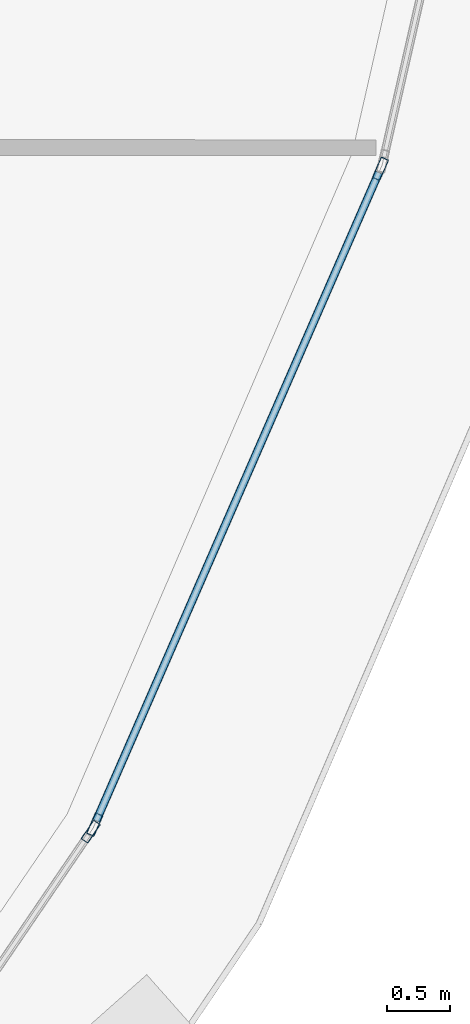
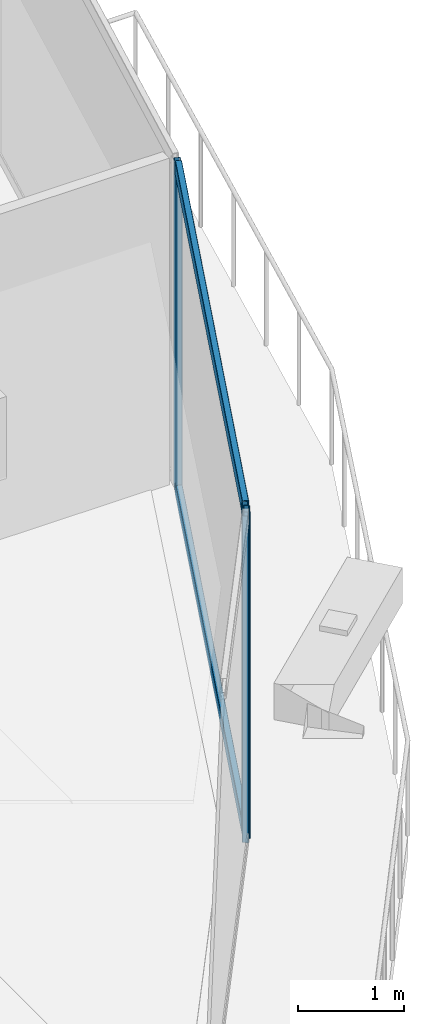
# One storey, part 11 of 36: 5 members, 2 elements without a shape of their own.
"""IFC4 building model written with IfcOpenShell, lengths in metres."""

from ifc_helpers import new_model, si_unit, direction, frame, origin, origin_2d, place, context, subcontext, project, spatial, hollow_rectangle, extrude, material, layer, layer_set, material_profile, profile_set, type_object, element, aggregate, save


model = new_model("IFC4")

# Units and contexts
model_context = context("Model", 3, precision=1e-05, world=origin(), true_north=direction((0.0, 1.0)))
body_context = subcontext(model_context, "Body", "Model", "MODEL_VIEW")
ifc_project = project(units=[si_unit("LENGTHUNIT", "METRE"), si_unit("AREAUNIT", "SQUARE_METRE"), si_unit("VOLUMEUNIT", "CUBIC_METRE"), si_unit("PLANEANGLEUNIT", "RADIAN"), si_unit("MASSUNIT", "GRAM", prefix="KILO")], contexts=[model_context])

# Site, building, storey
site_placement = place(None, origin())
site = spatial("IfcSite", under=ifc_project, at=site_placement, CompositionType="ELEMENT")
building_placement = place(site_placement, origin())
building = spatial("IfcBuilding", under=site, at=building_placement, Name="Qorvath Tower", CompositionType="ELEMENT")
storey_placement = place(building_placement, frame((0.0, 0.0, 241.5)))
storey = spatial("IfcBuildingStorey", under=building, at=storey_placement, Name="L56", CompositionType="ELEMENT", Elevation=241.5)

# Curtain wall, member
ifc_material_1 = material(Name="Anodised aluminium and triple low-E glass", Category="aluminium")
ifc_layer = layer(ifc_material_1, 0.179931640625)
ifc_layer_set = layer_set([ifc_layer], Name="CW-SYS-3")
curtain_wall_type = type_object("IfcCurtainWallType", Name="CW-SYS-3", PredefinedType="NOTDEFINED", material=ifc_layer_set)
curtain_wall_1_placement = place(storey_placement, origin())
curtain_wall_1 = element("IfcCurtainWall", 1, at=curtain_wall_1_placement, inside=storey, type_object=curtain_wall_type, Name="Curtain Wall CW-3 CW-T-L56-5.1", PredefinedType="NOTDEFINED")
ifc_material_2 = material(Name="Anodised aluminium 6063-T6", Category="aluminium")
ifc_material_profile_1 = material_profile(ifc_material_2, hollow_rectangle(XDim=0.06494140625, YDim=0.179931640625, WallThickness=0.00341796875, InnerFilletRadius=0.00341796875, OuterFilletRadius=0.007080078125, at=origin_2d()), Name="CWM 180x65")
ifc_profile_set_1 = profile_set([ifc_material_profile_1], Name="Anodised aluminium 6063-T6")
member_type_1 = type_object("IfcMemberType", Name="CWM-180", PredefinedType="MULLION", material=ifc_profile_set_1)
member_1_placement = place(storey_placement, frame((-3.9921875, -15.003662109375, 0.0), z_axis=(0.0, 0.0, 1.0), x_axis=(-0.826431361544, 0.563037480685, 0.0)))
member_1 = element("IfcMember", 2, at=member_1_placement, type_object=member_type_1, Name="CW-3 mullion 2", PredefinedType="MULLION", context=body_context, shape_type="SweptSolid", body=[
    extrude(hollow_rectangle(XDim=0.06494140625, YDim=0.179931640625, WallThickness=0.00341796875, InnerFilletRadius=0.00341796875, OuterFilletRadius=0.007080078125, at=origin_2d()), origin(), (0.0, 0.0, 1.0), 3.780029296875),
])
aggregate(curtain_wall_1, [member_1])

# Curtain wall, members
curtain_wall_2_placement = place(storey_placement, origin())
curtain_wall_2 = element("IfcCurtainWall", 3, at=curtain_wall_2_placement, inside=storey, type_object=curtain_wall_type, Name="Curtain Wall CW-3 CW-T-L56-6.1", PredefinedType="NOTDEFINED")
member_2_placement = place(storey_placement, frame((-3.9609375, -14.947021484375, 0.0), z_axis=(0.0, 0.0, 1.0), x_axis=(-0.916700023631, 0.399576108738, 0.0)))
member_2 = element("IfcMember", 4, at=member_2_placement, type_object=member_type_1, Name="CW-3 mullion 1", PredefinedType="MULLION", context=body_context, shape_type="SweptSolid", body=[
    extrude(hollow_rectangle(XDim=0.06494140625, YDim=0.179931640625, WallThickness=0.00341796875, InnerFilletRadius=0.00341796875, OuterFilletRadius=0.007080078125, at=origin_2d()), origin(), (0.0, 0.0, 1.0), 3.780029296875),
])
member_3_placement = place(storey_placement, frame((-1.67529296875, -9.70361328125, 0.0), z_axis=(0.0, 0.0, 1.0), x_axis=(-0.916700023631, 0.399576108738, 0.0)))
member_3 = element("IfcMember", 5, at=member_3_placement, type_object=member_type_1, Name="CW-3 mullion 2", PredefinedType="MULLION", context=body_context, shape_type="SweptSolid", body=[
    extrude(hollow_rectangle(XDim=0.06494140625, YDim=0.179931640625, WallThickness=0.00341796875, InnerFilletRadius=0.00341796875, OuterFilletRadius=0.007080078125, at=origin_2d()), origin(), (0.0, 0.0, 1.0), 3.780029296875),
])
ifc_material_3 = material(Name="Anodised aluminium 6063-T6", Category="aluminium")
ifc_material_profile_2 = material_profile(ifc_material_3, hollow_rectangle(XDim=0.06494140625, YDim=0.159912109375, WallThickness=0.00341796875, InnerFilletRadius=0.00341796875, OuterFilletRadius=0.007080078125, at=origin_2d()), Name="CWT 160x65")
ifc_profile_set_2 = profile_set([ifc_material_profile_2], Name="Anodised aluminium 6063-T6")
member_type_2 = type_object("IfcMemberType", Name="CWT-160", PredefinedType="USERDEFINED", material=ifc_profile_set_2)
member_4_placement = place(storey_placement, frame((-3.947998046875, -14.917236328125, 0.032470703125), z_axis=(0.399570536345, 0.916702452536, 0.0), x_axis=(-0.916702452536, 0.399570536345, 0.0)))
member_4 = element("IfcMember", 6, at=member_4_placement, type_object=member_type_2, Name="CW-3 transom 1.1", ObjectType="TRANSOM", PredefinedType="USERDEFINED", context=body_context, shape_type="SweptSolid", body=[
    extrude(hollow_rectangle(XDim=0.06494140625, YDim=0.159912109375, WallThickness=0.00341796875, InnerFilletRadius=0.00341796875, OuterFilletRadius=0.007080078125, at=origin_2d()), origin(), (0.0, 0.0, 1.0), 5.65478515625),
])
member_5_placement = place(storey_placement, frame((-3.947998046875, -14.917236328125, 3.74755859375), z_axis=(0.399570536345, 0.916702452536, 0.0), x_axis=(-0.916702452536, 0.399570536345, 0.0)))
member_5 = element("IfcMember", 7, at=member_5_placement, type_object=member_type_2, Name="CW-3 transom 1.2", ObjectType="TRANSOM", PredefinedType="USERDEFINED", context=body_context, shape_type="SweptSolid", body=[
    extrude(hollow_rectangle(XDim=0.06494140625, YDim=0.159912109375, WallThickness=0.00341796875, InnerFilletRadius=0.00341796875, OuterFilletRadius=0.007080078125, at=origin_2d()), origin(), (0.0, 0.0, 1.0), 5.65478515625),
])
aggregate(curtain_wall_2, [member_2, member_3, member_4, member_5])

save(model, "model.ifc")
